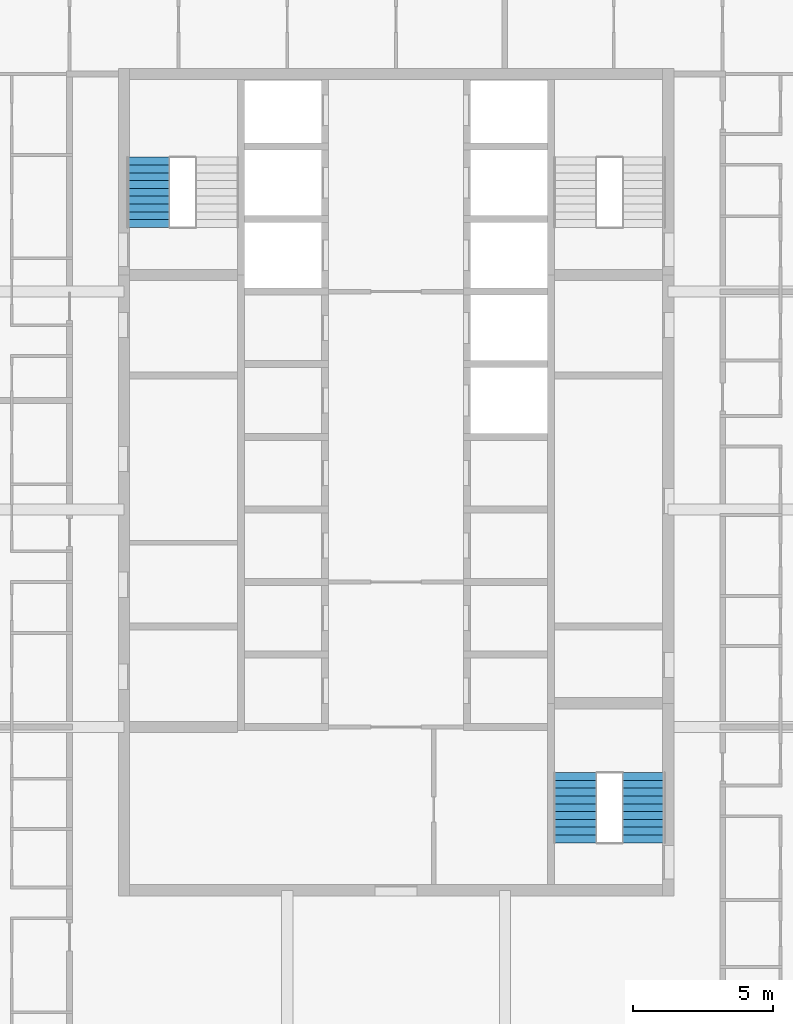
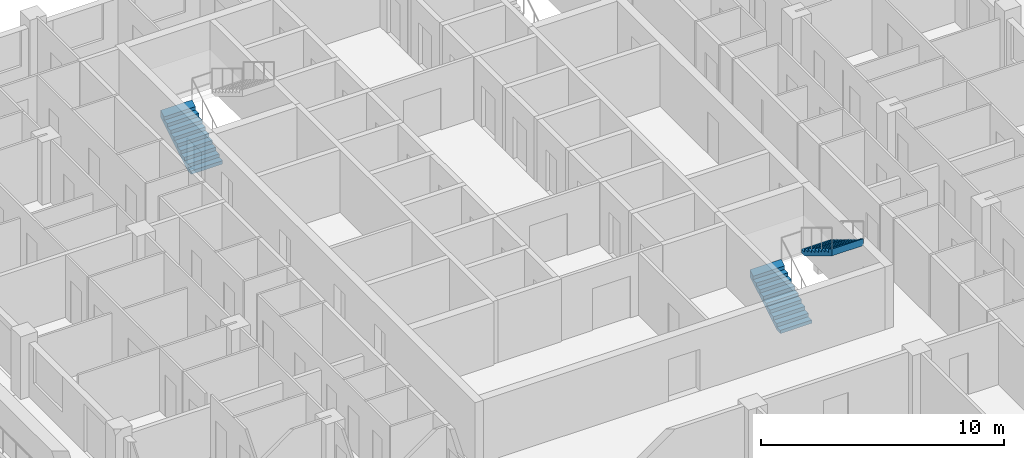
# One storey, part 13 of 16: 3 stair flights, 2 elements without a shape of their own.
"""IFC4 building model written with IfcOpenShell, lengths in metres."""

import ifcopenshell
import ifcopenshell.guid

model = None  # the IFC model being written
_history = None  # IfcOwnerHistory: only IFC2X3 demands one
_inside = {}  # id of a spatial element -> (the spatial element, [elements in it])
_under = {}  # id of a project, library or spatial element -> (it, [spatial elements below it])
_declared = {}  # id of a project -> (the project, [libraries it declares])
_typed = {}  # id of a type object -> (the type object, [elements of that type])
_made_of = {}  # id of a material, layer set ... -> (it, [elements and type objects made of it])


def new_model(schema):
    """Start an empty IFC model of exactly this schema.

    Asked for "IFC4X3", IfcOpenShell would pick the latest addendum, in which some entities
    have other attributes; the version numbers below select the first issue.
    IFC2X3 requires an IfcOwnerHistory on every rooted entity: one is made here for all.
    """
    global model, _history
    if schema == "IFC4X3":
        model = ifcopenshell.file(schema_version=(4, 3, 0, 0))
    else:
        model = ifcopenshell.file(schema=schema)
    _inside.clear()
    _under.clear()
    _declared.clear()
    _typed.clear()
    _made_of.clear()
    _history = None
    if model.schema == "IFC2X3":
        org = make("IfcOrganization", Name="unknown")
        user = make(
            "IfcPersonAndOrganization",
            ThePerson=make("IfcPerson", FamilyName="unknown"),
            TheOrganization=org,
        )
        app = make(
            "IfcApplication",
            ApplicationDeveloper=org,
            Version="unknown",
            ApplicationFullName="unknown",
            ApplicationIdentifier="unknown",
        )
        _history = make(
            "IfcOwnerHistory",
            OwningUser=user,
            OwningApplication=app,
            ChangeAction="ADDED",
            CreationDate=0,
        )
    return model


def make(cls, **values):
    """One entity of the class cls with the attributes given. An attribute that is None is left unset."""
    return model.create_entity(
        cls, **{name: value for name, value in values.items() if value is not None}
    )


def rooted(cls, **values):
    """An entity with a GlobalId (a new one), such as an element, a storey or a relation."""
    return make(cls, GlobalId=ifcopenshell.guid.new(), OwnerHistory=_history, **values)


def si_unit(unit_type, name, prefix=None):
    """IfcSIUnit, for example si_unit("LENGTHUNIT", "METRE", prefix="MILLI")."""
    return make("IfcSIUnit", UnitType=unit_type, Prefix=prefix, Name=name)


def assignment(units):
    """IfcUnitAssignment: the units of a project."""
    return None if units is None else make("IfcUnitAssignment", Units=units)


def point(xyz):
    """IfcCartesianPoint."""
    return None if xyz is None else make("IfcCartesianPoint", Coordinates=xyz)


def direction(xyz):
    """IfcDirection."""
    return None if xyz is None else make("IfcDirection", DirectionRatios=xyz)


def frame(location, z_axis=None, x_axis=None):
    """IfcAxis2Placement3D, a coordinate frame: its origin and axes. An axis left out is left unset."""
    return make(
        "IfcAxis2Placement3D",
        Location=point(location),
        Axis=direction(z_axis),
        RefDirection=direction(x_axis),
    )


def origin():
    """The frame at (0, 0, 0) with its axes left unset."""
    return frame((0.0, 0.0, 0.0))


def place(relative_to, where):
    """IfcLocalPlacement: puts the frame where relative to a parent placement (None: the world)."""
    return make(
        "IfcLocalPlacement", PlacementRelTo=relative_to, RelativePlacement=where
    )


def context(
    kind, dimensions, precision=None, world=None, true_north=None, identifier=None
):
    """IfcGeometricRepresentationContext, for example the 3D "Model" context."""
    return make(
        "IfcGeometricRepresentationContext",
        ContextIdentifier=identifier,
        ContextType=kind,
        CoordinateSpaceDimension=dimensions,
        Precision=precision,
        WorldCoordinateSystem=world,
        TrueNorth=true_north,
    )


def subcontext(parent, identifier, kind, view, scale=None):
    """IfcGeometricRepresentationSubContext, for example "Body" below "Model"."""
    return make(
        "IfcGeometricRepresentationSubContext",
        ContextIdentifier=identifier,
        ContextType=kind,
        ParentContext=parent,
        TargetScale=scale,
        TargetView=view,
    )


def project(units=None, contexts=None):
    """IfcProject with its units and contexts."""
    return rooted(
        "IfcProject",
        Name="project",
        RepresentationContexts=contexts,
        UnitsInContext=assignment(units),
    )


def spatial(cls, under=None, at=None, **own):
    """A site, building, storey or space (cls), placed at a placement, below another one or the project."""
    s = rooted(cls, ObjectPlacement=at, **own)
    if under is not None:
        _under.setdefault(under.id(), (under, []))[1].append(s)
    return s


def point_list(points):
    """IfcCartesianPointList2D or 3D."""
    cls = (
        "IfcCartesianPointList2D" if len(points[0]) == 2 else "IfcCartesianPointList3D"
    )
    return make(cls, CoordList=points)


def triangles(points, corners, closed=None, point_numbers=None):
    """IfcTriangulatedFaceSet: each triangle names its three corners, points numbered from 1."""
    return make(
        "IfcTriangulatedFaceSet",
        Coordinates=point_list(points),
        Closed=closed,
        CoordIndex=corners,
        PnIndex=point_numbers,
    )


def shape(context_of_items, identifier, shape_type, items):
    """IfcShapeRepresentation: the items that make up one representation, for example the "Body"."""
    return make(
        "IfcShapeRepresentation",
        ContextOfItems=context_of_items,
        RepresentationIdentifier=identifier,
        RepresentationType=shape_type,
        Items=items,
    )


def material(Name=None, Category=None):
    """IfcMaterial."""
    return make("IfcMaterial", Name=Name, Category=Category)


def made_of(thing, what):
    """Note that an element or type object is made of a material, layer set ...; save() writes the relation."""
    if what is not None:
        _made_of.setdefault(what.id(), (what, []))[1].append(thing)
    return thing


def type_object(cls, material=None, **own):
    """A type object (cls), such as IfcWallType, which elements share."""
    return made_of(rooted(cls, **own), material)


def element(
    cls,
    number,
    at=None,
    inside=None,
    cuts=None,
    type_object=None,
    material=None,
    context=None,
    identifier="Body",
    shape_type=None,
    held_by="IfcProductDefinitionShape",
    body=None,
    shapes=None,
    **own,
):
    """One element of the class cls, such as IfcWall. Its Tag is "e" and its number.

    at: its placement. inside: the storey or other place that contains it. cuts: it is an
    opening in that element (IfcRelVoidsElement). A single representation is given by context,
    identifier, shape_type and body (its items); several are given by shapes. held_by: the class
    of the entity that holds the representations. save() writes the other relations.
    """
    e = rooted(cls, Tag="e%d" % number, ObjectPlacement=at, **own)
    if body is not None:
        shapes = [shape(context, identifier, shape_type, body)]
    if shapes is not None:
        e.Representation = make(held_by, Representations=shapes)
    if inside is not None:
        _inside.setdefault(inside.id(), (inside, []))[1].append(e)
    if cuts is not None:
        rooted(
            "IfcRelVoidsElement", RelatingBuildingElement=cuts, RelatedOpeningElement=e
        )
    if type_object is not None:
        _typed.setdefault(type_object.id(), (type_object, []))[1].append(e)
    return made_of(e, material)


def aggregate(whole, parts):
    """IfcRelAggregates: a whole, such as a stair, and the parts it consists of."""
    return rooted("IfcRelAggregates", RelatingObject=whole, RelatedObjects=parts)


def save(model, path):
    """Write the relations noted so far, then the file.

    IfcRelAggregates (storeys below a building ...), IfcRelContainedInSpatialStructure (elements
    in a storey), IfcRelDefinesByType, IfcRelAssociatesMaterial and IfcRelDeclares: one each for
    every whole, place, type object, material and project.
    """
    for whole, parts in _under.values():
        aggregate(whole, parts)
    for where, things in _inside.values():
        rooted(
            "IfcRelContainedInSpatialStructure",
            RelatedElements=things,
            RelatingStructure=where,
        )
    for kind, things in _typed.values():
        rooted("IfcRelDefinesByType", RelatedObjects=things, RelatingType=kind)
    for what, things in _made_of.values():
        rooted("IfcRelAssociatesMaterial", RelatedObjects=things, RelatingMaterial=what)
    for by, libraries in _declared.values():
        rooted("IfcRelDeclares", RelatingContext=by, RelatedDefinitions=libraries)
    model.write(path)


model = new_model("IFC4")

# Units and contexts
model_context = context("Model", 3, precision=1e-05, world=origin(), true_north=direction((0.0, 1.0)))
body_context = subcontext(model_context, "Body", "Model", "MODEL_VIEW")
ifc_project = project(units=[si_unit("LENGTHUNIT", "METRE"), si_unit("AREAUNIT", "SQUARE_METRE"), si_unit("VOLUMEUNIT", "CUBIC_METRE"), si_unit("PLANEANGLEUNIT", "RADIAN"), si_unit("MASSUNIT", "GRAM", prefix="KILO")], contexts=[model_context])

# Site, building, storey
site_placement = place(None, origin())
site = spatial("IfcSite", under=ifc_project, at=site_placement, CompositionType="ELEMENT")
building_placement = place(site_placement, origin())
building = spatial("IfcBuilding", under=site, at=building_placement, Name="Ludao Terraces", CompositionType="ELEMENT")
storey_placement = place(building_placement, frame((0.0, 0.0, 227.89990234375)))
storey = spatial("IfcBuildingStorey", under=building, at=storey_placement, Name="L62", CompositionType="ELEMENT", Elevation=227.89990234375)

# Stair, stair flight
ifc_material = material(Name="Concrete C40", Category="concrete")
stair_type = type_object("IfcStairType", Name="INT Stair", PredefinedType="HALF_TURN_STAIR", material=ifc_material)
stair_1_placement = place(storey_placement, origin())
stair_1 = element("IfcStair", 1, at=stair_1_placement, inside=storey, type_object=stair_type, Name="EXIT STAIR 1", PredefinedType="HALF_TURN_STAIR")
stair_flight_type = type_object("IfcStairFlightType", Name="INT Stair flight", PredefinedType="STRAIGHT", material=ifc_material)
stair_flight_1_placement = place(storey_placement, frame((76.125, 79.0, 0.0), z_axis=(0.0, 0.0, 1.0), x_axis=(0.0, 1.0, 0.0)))
stair_flight_1 = element("IfcStairFlight", 2, at=stair_flight_1_placement, type_object=stair_flight_type, Name="ST1 flight 1", NumberOfRisers=10, NumberOfTreads=9, PredefinedType="STRAIGHT", RiserHeight=0.17, TreadLength=0.28, context=body_context, shape_type="Tessellation", body=[
    triangles([(0.0, -0.75, 0.0), (0.0, -0.5, 0.0), (0.0, -0.25, 0.0), (0.0, 0.0, 0.0), (0.0, 0.25, 0.0), (0.0, 0.5, 0.0), (0.0, 0.75, 0.0), (0.0, -0.75, 0.169921875), (0.0, -0.5, 0.169921875), (0.0, -0.25, 0.169921875), (0.0, 0.0, 0.169921875), (0.0, 0.25, 0.169921875), (0.0, 0.5, 0.169921875), (0.0, 0.75, 0.169921875), (0.280029296875, -0.75, 0.169921875), (0.280029296875, -0.5, 0.169921875), (0.280029296875, -0.25, 0.169921875), (0.280029296875, 0.0, 0.169921875), (0.280029296875, 0.25, 0.169921875), (0.280029296875, 0.5, 0.169921875), (0.280029296875, 0.75, 0.169921875), (0.280029296875, -0.75, 0.340087890625), (0.280029296875, -0.5, 0.340087890625), (0.280029296875, -0.25, 0.340087890625), (0.280029296875, 0.0, 0.340087890625), (0.280029296875, 0.25, 0.340087890625), (0.280029296875, 0.5, 0.340087890625), (0.280029296875, 0.75, 0.340087890625), (0.56005859375, -0.75, 0.340087890625), (0.56005859375, -0.5, 0.340087890625), (0.56005859375, -0.25, 0.340087890625), (0.56005859375, 0.0, 0.340087890625), (0.56005859375, 0.25, 0.340087890625), (0.56005859375, 0.5, 0.340087890625), (0.56005859375, 0.75, 0.340087890625), (0.56005859375, -0.75, 0.510009765625), (0.56005859375, -0.5, 0.510009765625), (0.56005859375, -0.25, 0.510009765625), (0.56005859375, 0.0, 0.510009765625), (0.56005859375, 0.25, 0.510009765625), (0.56005859375, 0.5, 0.510009765625), (0.56005859375, 0.75, 0.510009765625), (0.840087890625, -0.75, 0.510009765625), (0.840087890625, -0.5, 0.510009765625), (0.840087890625, -0.25, 0.510009765625), (0.840087890625, 0.0, 0.510009765625), (0.840087890625, 0.25, 0.510009765625), (0.840087890625, 0.5, 0.510009765625), (0.840087890625, 0.75, 0.510009765625), (0.840087890625, -0.75, 0.679931640625), (0.840087890625, -0.5, 0.679931640625), (0.840087890625, -0.25, 0.679931640625), (0.840087890625, 0.0, 0.679931640625), (0.840087890625, 0.25, 0.679931640625), (0.840087890625, 0.5, 0.679931640625), (0.840087890625, 0.75, 0.679931640625), (1.1201171875, -0.75, 0.679931640625), (1.1201171875, -0.5, 0.679931640625), (1.1201171875, -0.25, 0.679931640625), (1.1201171875, 0.0, 0.679931640625), (1.1201171875, 0.25, 0.679931640625), (1.1201171875, 0.5, 0.679931640625), (1.1201171875, 0.75, 0.679931640625), (1.1201171875, -0.75, 0.85009765625), (1.1201171875, -0.5, 0.85009765625), (1.1201171875, -0.25, 0.85009765625), (1.1201171875, 0.0, 0.85009765625), (1.1201171875, 0.25, 0.85009765625), (1.1201171875, 0.5, 0.85009765625), (1.1201171875, 0.75, 0.85009765625), (1.39990234375, -0.75, 0.85009765625), (1.39990234375, -0.5, 0.85009765625), (1.39990234375, -0.25, 0.85009765625), (1.39990234375, 0.0, 0.85009765625), (1.39990234375, 0.25, 0.85009765625), (1.39990234375, 0.5, 0.85009765625), (1.39990234375, 0.75, 0.85009765625), (1.39990234375, -0.75, 1.02001953125), (1.39990234375, -0.5, 1.02001953125), (1.39990234375, -0.25, 1.02001953125), (1.39990234375, 0.0, 1.02001953125), (1.39990234375, 0.25, 1.02001953125), (1.39990234375, 0.5, 1.02001953125), (1.39990234375, 0.75, 1.02001953125), (1.679931640625, -0.75, 1.02001953125), (1.679931640625, -0.5, 1.02001953125), (1.679931640625, -0.25, 1.02001953125), (1.679931640625, 0.0, 1.02001953125), (1.679931640625, 0.25, 1.02001953125), (1.679931640625, 0.5, 1.02001953125), (1.679931640625, 0.75, 1.02001953125), (1.679931640625, -0.75, 1.18994140625), (1.679931640625, -0.5, 1.18994140625), (1.679931640625, -0.25, 1.18994140625), (1.679931640625, 0.0, 1.18994140625), (1.679931640625, 0.25, 1.18994140625), (1.679931640625, 0.5, 1.18994140625), (1.679931640625, 0.75, 1.18994140625), (1.9599609375, -0.75, 1.18994140625), (1.9599609375, -0.5, 1.18994140625), (1.9599609375, -0.25, 1.18994140625), (1.9599609375, 0.0, 1.18994140625), (1.9599609375, 0.25, 1.18994140625), (1.9599609375, 0.5, 1.18994140625), (1.9599609375, 0.75, 1.18994140625), (1.9599609375, -0.75, 1.360107421875), (1.9599609375, -0.5, 1.360107421875), (1.9599609375, -0.25, 1.360107421875), (1.9599609375, 0.0, 1.360107421875), (1.9599609375, 0.25, 1.360107421875), (1.9599609375, 0.5, 1.360107421875), (1.9599609375, 0.75, 1.360107421875), (2.239990234375, -0.75, 1.360107421875), (2.239990234375, -0.5, 1.360107421875), (2.239990234375, -0.25, 1.360107421875), (2.239990234375, 0.0, 1.360107421875), (2.239990234375, 0.25, 1.360107421875), (2.239990234375, 0.5, 1.360107421875), (2.239990234375, 0.75, 1.360107421875), (2.239990234375, -0.75, 1.530029296875), (2.239990234375, -0.5, 1.530029296875), (2.239990234375, -0.25, 1.530029296875), (2.239990234375, 0.0, 1.530029296875), (2.239990234375, 0.25, 1.530029296875), (2.239990234375, 0.5, 1.530029296875), (2.239990234375, 0.75, 1.530029296875), (2.52001953125, -0.75, 1.699951171875), (2.52001953125, -0.5, 1.699951171875), (2.52001953125, -0.25, 1.699951171875), (2.52001953125, 0.0, 1.699951171875), (2.52001953125, 0.25, 1.699951171875), (2.52001953125, 0.5, 1.699951171875), (2.52001953125, 0.75, 1.699951171875), (2.52001953125, -0.75, 1.354736328125), (2.52001953125, -0.5, 1.354736328125), (2.52001953125, -0.25, 1.354736328125), (2.52001953125, 0.0, 1.354736328125), (2.52001953125, 0.25, 1.354736328125), (2.52001953125, 0.5, 1.354736328125), (2.52001953125, 0.75, 1.354736328125), (0.288818359375, -0.75, 0.0), (0.288818359375, -0.5, 0.0), (0.288818359375, -0.25, 0.0), (0.288818359375, 0.0, 0.0), (0.288818359375, 0.25, 0.0), (0.288818359375, 0.5, 0.0), (0.288818359375, 0.75, 0.0)], [[1, 141, 134], [7, 140, 147], [134, 127, 120], [140, 126, 133], [134, 120, 113], [140, 119, 126], [134, 113, 106], [140, 112, 119], [134, 106, 99], [140, 105, 112], [99, 92, 85], [105, 91, 98], [134, 99, 85], [140, 91, 105], [85, 78, 71], [91, 77, 84], [134, 85, 71], [140, 77, 91], [71, 64, 57], [77, 63, 70], [134, 71, 57], [140, 63, 77], [57, 50, 43], [63, 49, 56], [134, 57, 43], [140, 49, 63], [43, 36, 29], [49, 35, 42], [134, 43, 29], [140, 35, 49], [29, 22, 15], [35, 21, 28], [134, 29, 15], [140, 21, 35], [1, 134, 15], [7, 21, 140], [15, 8, 1], [21, 7, 14], [1, 9, 2], [1, 8, 9], [2, 10, 3], [2, 9, 10], [3, 11, 4], [3, 10, 11], [4, 12, 5], [4, 11, 12], [5, 13, 6], [5, 12, 13], [6, 14, 7], [6, 13, 14], [8, 16, 9], [8, 15, 16], [9, 17, 10], [9, 16, 17], [10, 18, 11], [10, 17, 18], [11, 19, 12], [11, 18, 19], [12, 20, 13], [12, 19, 20], [13, 21, 14], [13, 20, 21], [15, 23, 16], [15, 22, 23], [16, 24, 17], [16, 23, 24], [17, 25, 18], [17, 24, 25], [18, 26, 19], [18, 25, 26], [19, 27, 20], [19, 26, 27], [20, 28, 21], [20, 27, 28], [22, 30, 23], [22, 29, 30], [23, 31, 24], [23, 30, 31], [24, 32, 25], [24, 31, 32], [25, 33, 26], [25, 32, 33], [26, 34, 27], [26, 33, 34], [27, 35, 28], [27, 34, 35], [29, 37, 30], [29, 36, 37], [30, 38, 31], [30, 37, 38], [31, 39, 32], [31, 38, 39], [32, 40, 33], [32, 39, 40], [33, 41, 34], [33, 40, 41], [34, 42, 35], [34, 41, 42], [36, 44, 37], [36, 43, 44], [37, 45, 38], [37, 44, 45], [38, 46, 39], [38, 45, 46], [39, 47, 40], [39, 46, 47], [40, 48, 41], [40, 47, 48], [41, 49, 42], [41, 48, 49], [43, 51, 44], [43, 50, 51], [44, 52, 45], [44, 51, 52], [45, 53, 46], [45, 52, 53], [46, 54, 47], [46, 53, 54], [47, 55, 48], [47, 54, 55], [48, 56, 49], [48, 55, 56], [50, 58, 51], [50, 57, 58], [51, 59, 52], [51, 58, 59], [52, 60, 53], [52, 59, 60], [53, 61, 54], [53, 60, 61], [54, 62, 55], [54, 61, 62], [55, 63, 56], [55, 62, 63], [57, 65, 58], [57, 64, 65], [58, 66, 59], [58, 65, 66], [59, 67, 60], [59, 66, 67], [60, 68, 61], [60, 67, 68], [61, 69, 62], [61, 68, 69], [62, 70, 63], [62, 69, 70], [64, 72, 65], [64, 71, 72], [65, 73, 66], [65, 72, 73], [66, 74, 67], [66, 73, 74], [67, 75, 68], [67, 74, 75], [68, 76, 69], [68, 75, 76], [69, 77, 70], [69, 76, 77], [71, 79, 72], [71, 78, 79], [72, 80, 73], [72, 79, 80], [73, 81, 74], [73, 80, 81], [74, 82, 75], [74, 81, 82], [75, 83, 76], [75, 82, 83], [76, 84, 77], [76, 83, 84], [78, 86, 79], [78, 85, 86], [79, 87, 80], [79, 86, 87], [80, 88, 81], [80, 87, 88], [81, 89, 82], [81, 88, 89], [82, 90, 83], [82, 89, 90], [83, 91, 84], [83, 90, 91], [85, 93, 86], [85, 92, 93], [86, 94, 87], [86, 93, 94], [87, 95, 88], [87, 94, 95], [88, 96, 89], [88, 95, 96], [89, 97, 90], [89, 96, 97], [90, 98, 91], [90, 97, 98], [92, 100, 93], [92, 99, 100], [93, 101, 94], [93, 100, 101], [94, 102, 95], [94, 101, 102], [95, 103, 96], [95, 102, 103], [96, 104, 97], [96, 103, 104], [97, 105, 98], [97, 104, 105], [99, 107, 100], [99, 106, 107], [100, 108, 101], [100, 107, 108], [101, 109, 102], [101, 108, 109], [102, 110, 103], [102, 109, 110], [103, 111, 104], [103, 110, 111], [104, 112, 105], [104, 111, 112], [106, 114, 107], [106, 113, 114], [107, 115, 108], [107, 114, 115], [108, 116, 109], [108, 115, 116], [109, 117, 110], [109, 116, 117], [110, 118, 111], [110, 117, 118], [111, 119, 112], [111, 118, 119], [113, 121, 114], [113, 120, 121], [114, 122, 115], [114, 121, 122], [115, 123, 116], [115, 122, 123], [116, 124, 117], [116, 123, 124], [117, 125, 118], [117, 124, 125], [118, 126, 119], [118, 125, 126], [120, 128, 121], [120, 127, 128], [121, 129, 122], [121, 128, 129], [122, 130, 123], [122, 129, 130], [123, 131, 124], [123, 130, 131], [124, 132, 125], [124, 131, 132], [125, 133, 126], [125, 132, 133], [127, 135, 128], [127, 134, 135], [128, 136, 129], [128, 135, 136], [129, 137, 130], [129, 136, 137], [130, 138, 131], [130, 137, 138], [131, 139, 132], [131, 138, 139], [132, 140, 133], [132, 139, 140], [134, 142, 135], [134, 141, 142], [135, 143, 136], [135, 142, 143], [136, 144, 137], [136, 143, 144], [137, 145, 138], [137, 144, 145], [138, 146, 139], [138, 145, 146], [139, 147, 140], [139, 146, 147], [141, 2, 142], [141, 1, 2], [142, 3, 143], [142, 2, 3], [143, 4, 144], [143, 3, 4], [144, 5, 145], [144, 4, 5], [145, 6, 146], [145, 5, 6], [146, 7, 147], [146, 6, 7]], closed=True),
])
aggregate(stair_1, [stair_flight_1])

# Stair, stair flights
stair_2_placement = place(storey_placement, origin())
stair_2 = element("IfcStair", 3, at=stair_2_placement, inside=storey, type_object=stair_type, Name="EXIT STAIR 3", PredefinedType="HALF_TURN_STAIR")
stair_flight_2_placement = place(storey_placement, frame((91.425048828125, 56.949951171875, 0.0), z_axis=(0.0, 0.0, 1.0), x_axis=(0.0, 1.0, 0.0)))
stair_flight_2 = element("IfcStairFlight", 4, at=stair_flight_2_placement, type_object=stair_flight_type, Name="ST3 flight 1", NumberOfRisers=10, NumberOfTreads=9, PredefinedType="STRAIGHT", RiserHeight=0.17, TreadLength=0.28, context=body_context, shape_type="Tessellation", body=[
    triangles([(0.0, -0.75, 0.0), (0.0, -0.5, 0.0), (0.0, -0.25, 0.0), (0.0, 0.0, 0.0), (0.0, 0.25, 0.0), (0.0, 0.5, 0.0), (0.0, 0.75, 0.0), (0.0, -0.75, 0.169921875), (0.0, -0.5, 0.169921875), (0.0, -0.25, 0.169921875), (0.0, 0.0, 0.169921875), (0.0, 0.25, 0.169921875), (0.0, 0.5, 0.169921875), (0.0, 0.75, 0.169921875), (0.280029296875, -0.75, 0.169921875), (0.280029296875, -0.5, 0.169921875), (0.280029296875, -0.25, 0.169921875), (0.280029296875, 0.0, 0.169921875), (0.280029296875, 0.25, 0.169921875), (0.280029296875, 0.5, 0.169921875), (0.280029296875, 0.75, 0.169921875), (0.280029296875, -0.75, 0.340087890625), (0.280029296875, -0.5, 0.340087890625), (0.280029296875, -0.25, 0.340087890625), (0.280029296875, 0.0, 0.340087890625), (0.280029296875, 0.25, 0.340087890625), (0.280029296875, 0.5, 0.340087890625), (0.280029296875, 0.75, 0.340087890625), (0.56005859375, -0.75, 0.340087890625), (0.56005859375, -0.5, 0.340087890625), (0.56005859375, -0.25, 0.340087890625), (0.56005859375, 0.0, 0.340087890625), (0.56005859375, 0.25, 0.340087890625), (0.56005859375, 0.5, 0.340087890625), (0.56005859375, 0.75, 0.340087890625), (0.56005859375, -0.75, 0.510009765625), (0.56005859375, -0.5, 0.510009765625), (0.56005859375, -0.25, 0.510009765625), (0.56005859375, 0.0, 0.510009765625), (0.56005859375, 0.25, 0.510009765625), (0.56005859375, 0.5, 0.510009765625), (0.56005859375, 0.75, 0.510009765625), (0.840087890625, -0.75, 0.510009765625), (0.840087890625, -0.5, 0.510009765625), (0.840087890625, -0.25, 0.510009765625), (0.840087890625, 0.0, 0.510009765625), (0.840087890625, 0.25, 0.510009765625), (0.840087890625, 0.5, 0.510009765625), (0.840087890625, 0.75, 0.510009765625), (0.840087890625, -0.75, 0.679931640625), (0.840087890625, -0.5, 0.679931640625), (0.840087890625, -0.25, 0.679931640625), (0.840087890625, 0.0, 0.679931640625), (0.840087890625, 0.25, 0.679931640625), (0.840087890625, 0.5, 0.679931640625), (0.840087890625, 0.75, 0.679931640625), (1.1201171875, -0.75, 0.679931640625), (1.1201171875, -0.5, 0.679931640625), (1.1201171875, -0.25, 0.679931640625), (1.1201171875, 0.0, 0.679931640625), (1.1201171875, 0.25, 0.679931640625), (1.1201171875, 0.5, 0.679931640625), (1.1201171875, 0.75, 0.679931640625), (1.1201171875, -0.75, 0.85009765625), (1.1201171875, -0.5, 0.85009765625), (1.1201171875, -0.25, 0.85009765625), (1.1201171875, 0.0, 0.85009765625), (1.1201171875, 0.25, 0.85009765625), (1.1201171875, 0.5, 0.85009765625), (1.1201171875, 0.75, 0.85009765625), (1.39990234375, -0.75, 0.85009765625), (1.39990234375, -0.5, 0.85009765625), (1.39990234375, -0.25, 0.85009765625), (1.39990234375, 0.0, 0.85009765625), (1.39990234375, 0.25, 0.85009765625), (1.39990234375, 0.5, 0.85009765625), (1.39990234375, 0.75, 0.85009765625), (1.39990234375, -0.75, 1.02001953125), (1.39990234375, -0.5, 1.02001953125), (1.39990234375, -0.25, 1.02001953125), (1.39990234375, 0.0, 1.02001953125), (1.39990234375, 0.25, 1.02001953125), (1.39990234375, 0.5, 1.02001953125), (1.39990234375, 0.75, 1.02001953125), (1.679931640625, -0.75, 1.02001953125), (1.679931640625, -0.5, 1.02001953125), (1.679931640625, -0.25, 1.02001953125), (1.679931640625, 0.0, 1.02001953125), (1.679931640625, 0.25, 1.02001953125), (1.679931640625, 0.5, 1.02001953125), (1.679931640625, 0.75, 1.02001953125), (1.679931640625, -0.75, 1.18994140625), (1.679931640625, -0.5, 1.18994140625), (1.679931640625, -0.25, 1.18994140625), (1.679931640625, 0.0, 1.18994140625), (1.679931640625, 0.25, 1.18994140625), (1.679931640625, 0.5, 1.18994140625), (1.679931640625, 0.75, 1.18994140625), (1.9599609375, -0.75, 1.18994140625), (1.9599609375, -0.5, 1.18994140625), (1.9599609375, -0.25, 1.18994140625), (1.9599609375, 0.0, 1.18994140625), (1.9599609375, 0.25, 1.18994140625), (1.9599609375, 0.5, 1.18994140625), (1.9599609375, 0.75, 1.18994140625), (1.9599609375, -0.75, 1.360107421875), (1.9599609375, -0.5, 1.360107421875), (1.9599609375, -0.25, 1.360107421875), (1.9599609375, 0.0, 1.360107421875), (1.9599609375, 0.25, 1.360107421875), (1.9599609375, 0.5, 1.360107421875), (1.9599609375, 0.75, 1.360107421875), (2.239990234375, -0.75, 1.360107421875), (2.239990234375, -0.5, 1.360107421875), (2.239990234375, -0.25, 1.360107421875), (2.239990234375, 0.0, 1.360107421875), (2.239990234375, 0.25, 1.360107421875), (2.239990234375, 0.5, 1.360107421875), (2.239990234375, 0.75, 1.360107421875), (2.239990234375, -0.75, 1.530029296875), (2.239990234375, -0.5, 1.530029296875), (2.239990234375, -0.25, 1.530029296875), (2.239990234375, 0.0, 1.530029296875), (2.239990234375, 0.25, 1.530029296875), (2.239990234375, 0.5, 1.530029296875), (2.239990234375, 0.75, 1.530029296875), (2.52001953125, -0.75, 1.699951171875), (2.52001953125, -0.5, 1.699951171875), (2.52001953125, -0.25, 1.699951171875), (2.52001953125, 0.0, 1.699951171875), (2.52001953125, 0.25, 1.699951171875), (2.52001953125, 0.5, 1.699951171875), (2.52001953125, 0.75, 1.699951171875), (2.52001953125, -0.75, 1.354736328125), (2.52001953125, -0.5, 1.354736328125), (2.52001953125, -0.25, 1.354736328125), (2.52001953125, 0.0, 1.354736328125), (2.52001953125, 0.25, 1.354736328125), (2.52001953125, 0.5, 1.354736328125), (2.52001953125, 0.75, 1.354736328125), (0.288818359375, -0.75, 0.0), (0.288818359375, -0.5, 0.0), (0.288818359375, -0.25, 0.0), (0.288818359375, 0.0, 0.0), (0.288818359375, 0.25, 0.0), (0.288818359375, 0.5, 0.0), (0.288818359375, 0.75, 0.0)], [[1, 141, 134], [7, 140, 147], [134, 127, 120], [140, 126, 133], [134, 120, 113], [140, 119, 126], [134, 113, 106], [140, 112, 119], [134, 106, 99], [140, 105, 112], [99, 92, 85], [105, 91, 98], [134, 99, 85], [140, 91, 105], [85, 78, 71], [91, 77, 84], [134, 85, 71], [140, 77, 91], [71, 64, 57], [77, 63, 70], [134, 71, 57], [140, 63, 77], [57, 50, 43], [63, 49, 56], [134, 57, 43], [140, 49, 63], [43, 36, 29], [49, 35, 42], [134, 43, 29], [140, 35, 49], [29, 22, 15], [35, 21, 28], [134, 29, 15], [140, 21, 35], [1, 134, 15], [7, 21, 140], [15, 8, 1], [21, 7, 14], [1, 9, 2], [1, 8, 9], [2, 10, 3], [2, 9, 10], [3, 11, 4], [3, 10, 11], [4, 12, 5], [4, 11, 12], [5, 13, 6], [5, 12, 13], [6, 14, 7], [6, 13, 14], [8, 16, 9], [8, 15, 16], [9, 17, 10], [9, 16, 17], [10, 18, 11], [10, 17, 18], [11, 19, 12], [11, 18, 19], [12, 20, 13], [12, 19, 20], [13, 21, 14], [13, 20, 21], [15, 23, 16], [15, 22, 23], [16, 24, 17], [16, 23, 24], [17, 25, 18], [17, 24, 25], [18, 26, 19], [18, 25, 26], [19, 27, 20], [19, 26, 27], [20, 28, 21], [20, 27, 28], [22, 30, 23], [22, 29, 30], [23, 31, 24], [23, 30, 31], [24, 32, 25], [24, 31, 32], [25, 33, 26], [25, 32, 33], [26, 34, 27], [26, 33, 34], [27, 35, 28], [27, 34, 35], [29, 37, 30], [29, 36, 37], [30, 38, 31], [30, 37, 38], [31, 39, 32], [31, 38, 39], [32, 40, 33], [32, 39, 40], [33, 41, 34], [33, 40, 41], [34, 42, 35], [34, 41, 42], [36, 44, 37], [36, 43, 44], [37, 45, 38], [37, 44, 45], [38, 46, 39], [38, 45, 46], [39, 47, 40], [39, 46, 47], [40, 48, 41], [40, 47, 48], [41, 49, 42], [41, 48, 49], [43, 51, 44], [43, 50, 51], [44, 52, 45], [44, 51, 52], [45, 53, 46], [45, 52, 53], [46, 54, 47], [46, 53, 54], [47, 55, 48], [47, 54, 55], [48, 56, 49], [48, 55, 56], [50, 58, 51], [50, 57, 58], [51, 59, 52], [51, 58, 59], [52, 60, 53], [52, 59, 60], [53, 61, 54], [53, 60, 61], [54, 62, 55], [54, 61, 62], [55, 63, 56], [55, 62, 63], [57, 65, 58], [57, 64, 65], [58, 66, 59], [58, 65, 66], [59, 67, 60], [59, 66, 67], [60, 68, 61], [60, 67, 68], [61, 69, 62], [61, 68, 69], [62, 70, 63], [62, 69, 70], [64, 72, 65], [64, 71, 72], [65, 73, 66], [65, 72, 73], [66, 74, 67], [66, 73, 74], [67, 75, 68], [67, 74, 75], [68, 76, 69], [68, 75, 76], [69, 77, 70], [69, 76, 77], [71, 79, 72], [71, 78, 79], [72, 80, 73], [72, 79, 80], [73, 81, 74], [73, 80, 81], [74, 82, 75], [74, 81, 82], [75, 83, 76], [75, 82, 83], [76, 84, 77], [76, 83, 84], [78, 86, 79], [78, 85, 86], [79, 87, 80], [79, 86, 87], [80, 88, 81], [80, 87, 88], [81, 89, 82], [81, 88, 89], [82, 90, 83], [82, 89, 90], [83, 91, 84], [83, 90, 91], [85, 93, 86], [85, 92, 93], [86, 94, 87], [86, 93, 94], [87, 95, 88], [87, 94, 95], [88, 96, 89], [88, 95, 96], [89, 97, 90], [89, 96, 97], [90, 98, 91], [90, 97, 98], [92, 100, 93], [92, 99, 100], [93, 101, 94], [93, 100, 101], [94, 102, 95], [94, 101, 102], [95, 103, 96], [95, 102, 103], [96, 104, 97], [96, 103, 104], [97, 105, 98], [97, 104, 105], [99, 107, 100], [99, 106, 107], [100, 108, 101], [100, 107, 108], [101, 109, 102], [101, 108, 109], [102, 110, 103], [102, 109, 110], [103, 111, 104], [103, 110, 111], [104, 112, 105], [104, 111, 112], [106, 114, 107], [106, 113, 114], [107, 115, 108], [107, 114, 115], [108, 116, 109], [108, 115, 116], [109, 117, 110], [109, 116, 117], [110, 118, 111], [110, 117, 118], [111, 119, 112], [111, 118, 119], [113, 121, 114], [113, 120, 121], [114, 122, 115], [114, 121, 122], [115, 123, 116], [115, 122, 123], [116, 124, 117], [116, 123, 124], [117, 125, 118], [117, 124, 125], [118, 126, 119], [118, 125, 126], [120, 128, 121], [120, 127, 128], [121, 129, 122], [121, 128, 129], [122, 130, 123], [122, 129, 130], [123, 131, 124], [123, 130, 131], [124, 132, 125], [124, 131, 132], [125, 133, 126], [125, 132, 133], [127, 135, 128], [127, 134, 135], [128, 136, 129], [128, 135, 136], [129, 137, 130], [129, 136, 137], [130, 138, 131], [130, 137, 138], [131, 139, 132], [131, 138, 139], [132, 140, 133], [132, 139, 140], [134, 142, 135], [134, 141, 142], [135, 143, 136], [135, 142, 143], [136, 144, 137], [136, 143, 144], [137, 145, 138], [137, 144, 145], [138, 146, 139], [138, 145, 146], [139, 147, 140], [139, 146, 147], [141, 2, 142], [141, 1, 2], [142, 3, 143], [142, 2, 3], [143, 4, 144], [143, 3, 4], [144, 5, 145], [144, 4, 5], [145, 6, 146], [145, 5, 6], [146, 7, 147], [146, 6, 7]], closed=True),
])
stair_flight_3_placement = place(storey_placement, frame((93.875, 59.469970703125, 1.7001953125), z_axis=(0.0, 0.0, 1.0), x_axis=(0.0, -1.0, 0.0)))
stair_flight_3 = element("IfcStairFlight", 5, at=stair_flight_3_placement, type_object=stair_flight_type, Name="ST3 flight 2", NumberOfRisers=10, NumberOfTreads=9, PredefinedType="STRAIGHT", RiserHeight=0.17, TreadLength=0.28, context=body_context, shape_type="Tessellation", body=[
    triangles([(0.0, -0.75, 0.0), (0.0, -0.5, 0.0), (0.0, -0.25, 0.0), (0.0, 0.0, 0.0), (0.0, 0.25, 0.0), (0.0, 0.5, 0.0), (0.0, 0.75, 0.0), (0.0, -0.75, 0.169921875), (0.0, -0.5, 0.169921875), (0.0, -0.25, 0.169921875), (0.0, 0.0, 0.169921875), (0.0, 0.25, 0.169921875), (0.0, 0.5, 0.169921875), (0.0, 0.75, 0.169921875), (0.280029296875, -0.75, 0.169921875), (0.280029296875, -0.5, 0.169921875), (0.280029296875, -0.25, 0.169921875), (0.280029296875, 0.0, 0.169921875), (0.280029296875, 0.25, 0.169921875), (0.280029296875, 0.5, 0.169921875), (0.280029296875, 0.75, 0.169921875), (0.280029296875, -0.75, 0.340087890625), (0.280029296875, -0.5, 0.340087890625), (0.280029296875, -0.25, 0.340087890625), (0.280029296875, 0.0, 0.340087890625), (0.280029296875, 0.25, 0.340087890625), (0.280029296875, 0.5, 0.340087890625), (0.280029296875, 0.75, 0.340087890625), (0.56005859375, -0.75, 0.340087890625), (0.56005859375, -0.5, 0.340087890625), (0.56005859375, -0.25, 0.340087890625), (0.56005859375, 0.0, 0.340087890625), (0.56005859375, 0.25, 0.340087890625), (0.56005859375, 0.5, 0.340087890625), (0.56005859375, 0.75, 0.340087890625), (0.56005859375, -0.75, 0.510009765625), (0.56005859375, -0.5, 0.510009765625), (0.56005859375, -0.25, 0.510009765625), (0.56005859375, 0.0, 0.510009765625), (0.56005859375, 0.25, 0.510009765625), (0.56005859375, 0.5, 0.510009765625), (0.56005859375, 0.75, 0.510009765625), (0.840087890625, -0.75, 0.510009765625), (0.840087890625, -0.5, 0.510009765625), (0.840087890625, -0.25, 0.510009765625), (0.840087890625, 0.0, 0.510009765625), (0.840087890625, 0.25, 0.510009765625), (0.840087890625, 0.5, 0.510009765625), (0.840087890625, 0.75, 0.510009765625), (0.840087890625, -0.75, 0.679931640625), (0.840087890625, -0.5, 0.679931640625), (0.840087890625, -0.25, 0.679931640625), (0.840087890625, 0.0, 0.679931640625), (0.840087890625, 0.25, 0.679931640625), (0.840087890625, 0.5, 0.679931640625), (0.840087890625, 0.75, 0.679931640625), (1.1201171875, -0.75, 0.679931640625), (1.1201171875, -0.5, 0.679931640625), (1.1201171875, -0.25, 0.679931640625), (1.1201171875, 0.0, 0.679931640625), (1.1201171875, 0.25, 0.679931640625), (1.1201171875, 0.5, 0.679931640625), (1.1201171875, 0.75, 0.679931640625), (1.1201171875, -0.75, 0.85009765625), (1.1201171875, -0.5, 0.85009765625), (1.1201171875, -0.25, 0.85009765625), (1.1201171875, 0.0, 0.85009765625), (1.1201171875, 0.25, 0.85009765625), (1.1201171875, 0.5, 0.85009765625), (1.1201171875, 0.75, 0.85009765625), (1.39990234375, -0.75, 0.85009765625), (1.39990234375, -0.5, 0.85009765625), (1.39990234375, -0.25, 0.85009765625), (1.39990234375, 0.0, 0.85009765625), (1.39990234375, 0.25, 0.85009765625), (1.39990234375, 0.5, 0.85009765625), (1.39990234375, 0.75, 0.85009765625), (1.39990234375, -0.75, 1.02001953125), (1.39990234375, -0.5, 1.02001953125), (1.39990234375, -0.25, 1.02001953125), (1.39990234375, 0.0, 1.02001953125), (1.39990234375, 0.25, 1.02001953125), (1.39990234375, 0.5, 1.02001953125), (1.39990234375, 0.75, 1.02001953125), (1.679931640625, -0.75, 1.02001953125), (1.679931640625, -0.5, 1.02001953125), (1.679931640625, -0.25, 1.02001953125), (1.679931640625, 0.0, 1.02001953125), (1.679931640625, 0.25, 1.02001953125), (1.679931640625, 0.5, 1.02001953125), (1.679931640625, 0.75, 1.02001953125), (1.679931640625, -0.75, 1.18994140625), (1.679931640625, -0.5, 1.18994140625), (1.679931640625, -0.25, 1.18994140625), (1.679931640625, 0.0, 1.18994140625), (1.679931640625, 0.25, 1.18994140625), (1.679931640625, 0.5, 1.18994140625), (1.679931640625, 0.75, 1.18994140625), (1.9599609375, -0.75, 1.18994140625), (1.9599609375, -0.5, 1.18994140625), (1.9599609375, -0.25, 1.18994140625), (1.9599609375, 0.0, 1.18994140625), (1.9599609375, 0.25, 1.18994140625), (1.9599609375, 0.5, 1.18994140625), (1.9599609375, 0.75, 1.18994140625), (1.9599609375, -0.75, 1.360107421875), (1.9599609375, -0.5, 1.360107421875), (1.9599609375, -0.25, 1.360107421875), (1.9599609375, 0.0, 1.360107421875), (1.9599609375, 0.25, 1.360107421875), (1.9599609375, 0.5, 1.360107421875), (1.9599609375, 0.75, 1.360107421875), (2.239990234375, -0.75, 1.360107421875), (2.239990234375, -0.5, 1.360107421875), (2.239990234375, -0.25, 1.360107421875), (2.239990234375, 0.0, 1.360107421875), (2.239990234375, 0.25, 1.360107421875), (2.239990234375, 0.5, 1.360107421875), (2.239990234375, 0.75, 1.360107421875), (2.239990234375, -0.75, 1.530029296875), (2.239990234375, -0.5, 1.530029296875), (2.239990234375, -0.25, 1.530029296875), (2.239990234375, 0.0, 1.530029296875), (2.239990234375, 0.25, 1.530029296875), (2.239990234375, 0.5, 1.530029296875), (2.239990234375, 0.75, 1.530029296875), (2.52001953125, -0.75, 1.699951171875), (2.52001953125, -0.5, 1.699951171875), (2.52001953125, -0.25, 1.699951171875), (2.52001953125, 0.0, 1.699951171875), (2.52001953125, 0.25, 1.699951171875), (2.52001953125, 0.5, 1.699951171875), (2.52001953125, 0.75, 1.699951171875), (2.52001953125, -0.75, 1.354736328125), (2.52001953125, -0.5, 1.354736328125), (2.52001953125, -0.25, 1.354736328125), (2.52001953125, 0.0, 1.354736328125), (2.52001953125, 0.25, 1.354736328125), (2.52001953125, 0.5, 1.354736328125), (2.52001953125, 0.75, 1.354736328125), (0.288818359375, -0.75, 0.0), (0.288818359375, -0.5, 0.0), (0.288818359375, -0.25, 0.0), (0.288818359375, 0.0, 0.0), (0.288818359375, 0.25, 0.0), (0.288818359375, 0.5, 0.0), (0.288818359375, 0.75, 0.0)], [[1, 141, 134], [7, 140, 147], [134, 127, 120], [140, 126, 133], [134, 120, 113], [140, 119, 126], [134, 113, 106], [140, 112, 119], [134, 106, 99], [140, 105, 112], [99, 92, 85], [105, 91, 98], [134, 99, 85], [140, 91, 105], [85, 78, 71], [91, 77, 84], [134, 85, 71], [140, 77, 91], [71, 64, 57], [77, 63, 70], [134, 71, 57], [140, 63, 77], [57, 50, 43], [63, 49, 56], [134, 57, 43], [140, 49, 63], [43, 36, 29], [49, 35, 42], [134, 43, 29], [140, 35, 49], [29, 22, 15], [35, 21, 28], [134, 29, 15], [140, 21, 35], [1, 134, 15], [7, 21, 140], [15, 8, 1], [21, 7, 14], [1, 9, 2], [1, 8, 9], [2, 10, 3], [2, 9, 10], [3, 11, 4], [3, 10, 11], [4, 12, 5], [4, 11, 12], [5, 13, 6], [5, 12, 13], [6, 14, 7], [6, 13, 14], [8, 16, 9], [8, 15, 16], [9, 17, 10], [9, 16, 17], [10, 18, 11], [10, 17, 18], [11, 19, 12], [11, 18, 19], [12, 20, 13], [12, 19, 20], [13, 21, 14], [13, 20, 21], [15, 23, 16], [15, 22, 23], [16, 24, 17], [16, 23, 24], [17, 25, 18], [17, 24, 25], [18, 26, 19], [18, 25, 26], [19, 27, 20], [19, 26, 27], [20, 28, 21], [20, 27, 28], [22, 30, 23], [22, 29, 30], [23, 31, 24], [23, 30, 31], [24, 32, 25], [24, 31, 32], [25, 33, 26], [25, 32, 33], [26, 34, 27], [26, 33, 34], [27, 35, 28], [27, 34, 35], [29, 37, 30], [29, 36, 37], [30, 38, 31], [30, 37, 38], [31, 39, 32], [31, 38, 39], [32, 40, 33], [32, 39, 40], [33, 41, 34], [33, 40, 41], [34, 42, 35], [34, 41, 42], [36, 44, 37], [36, 43, 44], [37, 45, 38], [37, 44, 45], [38, 46, 39], [38, 45, 46], [39, 47, 40], [39, 46, 47], [40, 48, 41], [40, 47, 48], [41, 49, 42], [41, 48, 49], [43, 51, 44], [43, 50, 51], [44, 52, 45], [44, 51, 52], [45, 53, 46], [45, 52, 53], [46, 54, 47], [46, 53, 54], [47, 55, 48], [47, 54, 55], [48, 56, 49], [48, 55, 56], [50, 58, 51], [50, 57, 58], [51, 59, 52], [51, 58, 59], [52, 60, 53], [52, 59, 60], [53, 61, 54], [53, 60, 61], [54, 62, 55], [54, 61, 62], [55, 63, 56], [55, 62, 63], [57, 65, 58], [57, 64, 65], [58, 66, 59], [58, 65, 66], [59, 67, 60], [59, 66, 67], [60, 68, 61], [60, 67, 68], [61, 69, 62], [61, 68, 69], [62, 70, 63], [62, 69, 70], [64, 72, 65], [64, 71, 72], [65, 73, 66], [65, 72, 73], [66, 74, 67], [66, 73, 74], [67, 75, 68], [67, 74, 75], [68, 76, 69], [68, 75, 76], [69, 77, 70], [69, 76, 77], [71, 79, 72], [71, 78, 79], [72, 80, 73], [72, 79, 80], [73, 81, 74], [73, 80, 81], [74, 82, 75], [74, 81, 82], [75, 83, 76], [75, 82, 83], [76, 84, 77], [76, 83, 84], [78, 86, 79], [78, 85, 86], [79, 87, 80], [79, 86, 87], [80, 88, 81], [80, 87, 88], [81, 89, 82], [81, 88, 89], [82, 90, 83], [82, 89, 90], [83, 91, 84], [83, 90, 91], [85, 93, 86], [85, 92, 93], [86, 94, 87], [86, 93, 94], [87, 95, 88], [87, 94, 95], [88, 96, 89], [88, 95, 96], [89, 97, 90], [89, 96, 97], [90, 98, 91], [90, 97, 98], [92, 100, 93], [92, 99, 100], [93, 101, 94], [93, 100, 101], [94, 102, 95], [94, 101, 102], [95, 103, 96], [95, 102, 103], [96, 104, 97], [96, 103, 104], [97, 105, 98], [97, 104, 105], [99, 107, 100], [99, 106, 107], [100, 108, 101], [100, 107, 108], [101, 109, 102], [101, 108, 109], [102, 110, 103], [102, 109, 110], [103, 111, 104], [103, 110, 111], [104, 112, 105], [104, 111, 112], [106, 114, 107], [106, 113, 114], [107, 115, 108], [107, 114, 115], [108, 116, 109], [108, 115, 116], [109, 117, 110], [109, 116, 117], [110, 118, 111], [110, 117, 118], [111, 119, 112], [111, 118, 119], [113, 121, 114], [113, 120, 121], [114, 122, 115], [114, 121, 122], [115, 123, 116], [115, 122, 123], [116, 124, 117], [116, 123, 124], [117, 125, 118], [117, 124, 125], [118, 126, 119], [118, 125, 126], [120, 128, 121], [120, 127, 128], [121, 129, 122], [121, 128, 129], [122, 130, 123], [122, 129, 130], [123, 131, 124], [123, 130, 131], [124, 132, 125], [124, 131, 132], [125, 133, 126], [125, 132, 133], [127, 135, 128], [127, 134, 135], [128, 136, 129], [128, 135, 136], [129, 137, 130], [129, 136, 137], [130, 138, 131], [130, 137, 138], [131, 139, 132], [131, 138, 139], [132, 140, 133], [132, 139, 140], [134, 142, 135], [134, 141, 142], [135, 143, 136], [135, 142, 143], [136, 144, 137], [136, 143, 144], [137, 145, 138], [137, 144, 145], [138, 146, 139], [138, 145, 146], [139, 147, 140], [139, 146, 147], [141, 2, 142], [141, 1, 2], [142, 3, 143], [142, 2, 3], [143, 4, 144], [143, 3, 4], [144, 5, 145], [144, 4, 5], [145, 6, 146], [145, 5, 6], [146, 7, 147], [146, 6, 7]], closed=True),
])
aggregate(stair_2, [stair_flight_2, stair_flight_3])

save(model, "model.ifc")
